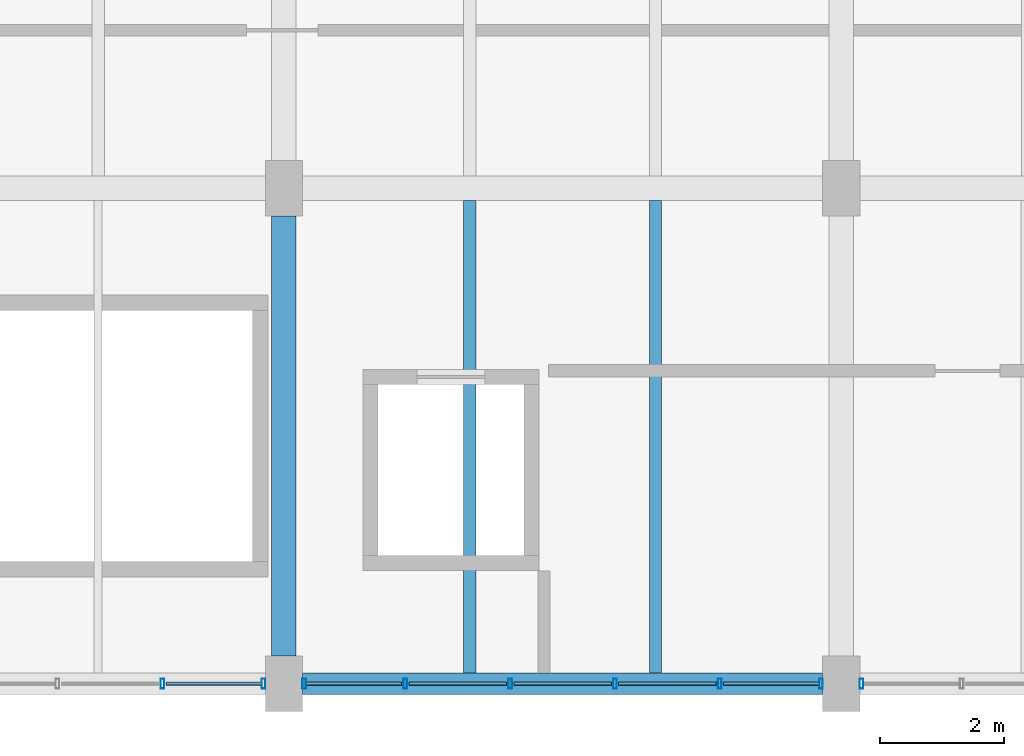
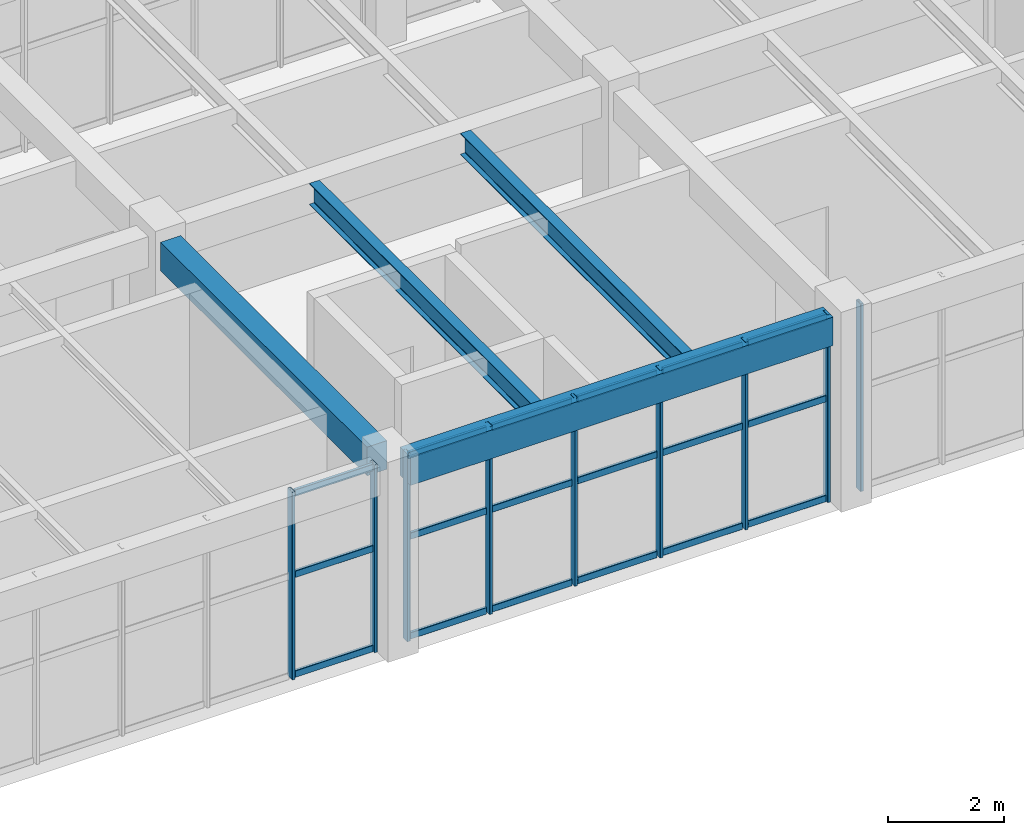
# One storey, part 13 of 148: 27 members, 4 beams, 3 elements without a shape of their own.
"""IFC4 building model written with IfcOpenShell, lengths in metres."""

from ifc_helpers import new_model, si_unit, derived_unit, direction, frame, origin, origin_2d, place, context, subcontext, project, spatial, rectangle, hollow_rectangle, i_section, extrude, material, material_profile, profile_set, type_object, element, aggregate, save


model = new_model("IFC4")

# Units and contexts
model_context = context("Model", 3, precision=1e-05, world=origin(), true_north=direction((0.0, 1.0)))
body_context = subcontext(model_context, "Body", "Model", "MODEL_VIEW")
ifc_project = project(units=[si_unit("LENGTHUNIT", "METRE"), si_unit("AREAUNIT", "SQUARE_METRE"), si_unit("VOLUMEUNIT", "CUBIC_METRE"), si_unit("PLANEANGLEUNIT", "RADIAN"), si_unit("MASSUNIT", "GRAM", prefix="KILO"), derived_unit("THERMALTRANSMITTANCEUNIT", [(si_unit("MASSUNIT", "GRAM", prefix="KILO"), 1), (si_unit("TIMEUNIT", "SECOND"), -3), (si_unit("THERMODYNAMICTEMPERATUREUNIT", "KELVIN"), -1)])], contexts=[model_context])

# Site, building, storey
site_placement = place(None, origin())
site = spatial("IfcSite", under=ifc_project, at=site_placement, CompositionType="ELEMENT")
building_placement = place(site_placement, origin())
building = spatial("IfcBuilding", under=site, at=building_placement, Name="Zhenchuan Archway Interchange", CompositionType="ELEMENT")
storey_placement = place(building_placement, frame((0.0, 0.0, 10.199951171875)))
storey = spatial("IfcBuildingStorey", under=building, at=storey_placement, Name="L02", CompositionType="ELEMENT", Elevation=10.199951171875)

# Beam
ifc_material_1 = material(Name="Concrete C40", Category="concrete")
ifc_material_profile_1 = material_profile(ifc_material_1, rectangle(XDim=0.39990234375, YDim=0.60009765625, at=origin_2d()), Name="RC 400x600")
ifc_profile_set_1 = profile_set([ifc_material_profile_1], Name="Concrete C40")
beam_type_1 = type_object("IfcBeamType", Name="BM_RC_400x600", PredefinedType="BEAM", material=ifc_profile_set_1)
beam_1_placement = place(storey_placement, frame((18.0, 0.449951171875, 3.64013671875), z_axis=(0.0, 1.0, 0.0), x_axis=(-1.0, 0.0, 0.0)))
element("IfcBeam", 1, at=beam_1_placement, inside=storey, type_object=beam_type_1, Name="Beam 3:A-B (L02)", PredefinedType="BEAM", context=body_context, shape_type="SweptSolid", body=[
    extrude(rectangle(XDim=0.39990234375, YDim=0.60009765625, at=origin_2d()), origin(), (0.0, 0.0, 1.0), 7.10009765625),
])

# Curtain wall, member
ifc_material_2 = material(Name="Anodised Aluminium", Category="aluminium")
curtain_wall_type_1 = type_object("IfcCurtainWallType", Name="CW_UNIT_2", PredefinedType="NOTDEFINED", material=ifc_material_2)
curtain_wall_1_placement = place(storey_placement, origin())
curtain_wall_1 = element("IfcCurtainWall", 2, at=curtain_wall_1_placement, inside=storey, type_object=curtain_wall_type_1, Name="Unitised curtain wall CW:L02:105", PredefinedType="NOTDEFINED")
ifc_material_profile_2 = material_profile(ifc_material_2, hollow_rectangle(XDim=0.06005859375, YDim=0.159912109375, WallThickness=0.00390625, InnerFilletRadius=0.00390625, OuterFilletRadius=0.008056640625, at=origin_2d()), Name="ALU 160x60x4")
ifc_profile_set_2 = profile_set([ifc_material_profile_2], Name="Anodised Aluminium")
member_type_1 = type_object("IfcMemberType", Name="CW_MUL_150", PredefinedType="MULLION", material=ifc_profile_set_2)
member_1_placement = place(storey_placement, frame((27.327880859375, 0.0, 0.0), z_axis=(0.0, 0.0, 1.0), x_axis=(1.0, 0.0, 0.0)))
member_1 = element("IfcMember", 3, at=member_1_placement, type_object=member_type_1, Name="CW:L02:105 mullion 5", PredefinedType="MULLION", context=body_context, shape_type="SweptSolid", body=[
    extrude(hollow_rectangle(XDim=0.06005859375, YDim=0.159912109375, WallThickness=0.00390625, InnerFilletRadius=0.00390625, OuterFilletRadius=0.008056640625, at=origin_2d()), origin(), (0.0, 0.0, 1.0), 3.93994140625),
])
aggregate(curtain_wall_1, [member_1])

# Curtain wall, members
curtain_wall_type_2 = type_object("IfcCurtainWallType", Name="CW_UNIT_3", PredefinedType="NOTDEFINED", material=ifc_material_2)
curtain_wall_2_placement = place(storey_placement, origin())
curtain_wall_2 = element("IfcCurtainWall", 4, at=curtain_wall_2_placement, inside=storey, type_object=curtain_wall_type_2, Name="Unitised curtain wall CW:L02:106", PredefinedType="NOTDEFINED")
member_2_placement = place(storey_placement, frame((26.672119140625, 0.0, 0.0), z_axis=(0.0, 0.0, 1.0), x_axis=(1.0, 0.0, 0.0)))
member_2 = element("IfcMember", 5, at=member_2_placement, type_object=member_type_1, Name="CW:L02:106 mullion 0", PredefinedType="MULLION", context=body_context, shape_type="SweptSolid", body=[
    extrude(hollow_rectangle(XDim=0.06005859375, YDim=0.159912109375, WallThickness=0.00390625, InnerFilletRadius=0.00390625, OuterFilletRadius=0.008056640625, at=origin_2d()), origin(), (0.0, 0.0, 1.0), 3.93994140625),
])
member_3_placement = place(storey_placement, frame((25.039306640625, 0.0, 0.0), z_axis=(0.0, 0.0, 1.0), x_axis=(1.0, 0.0, 0.0)))
member_3 = element("IfcMember", 6, at=member_3_placement, type_object=member_type_1, Name="CW:L02:106 mullion 1", PredefinedType="MULLION", context=body_context, shape_type="SweptSolid", body=[
    extrude(hollow_rectangle(XDim=0.06005859375, YDim=0.159912109375, WallThickness=0.00390625, InnerFilletRadius=0.00390625, OuterFilletRadius=0.008056640625, at=origin_2d()), origin(), (0.0, 0.0, 1.0), 3.93994140625),
])
member_4_placement = place(storey_placement, frame((23.346435546875, 0.0, 0.0), z_axis=(0.0, 0.0, 1.0), x_axis=(1.0, 0.0, 0.0)))
member_4 = element("IfcMember", 7, at=member_4_placement, type_object=member_type_1, Name="CW:L02:106 mullion 2", PredefinedType="MULLION", context=body_context, shape_type="SweptSolid", body=[
    extrude(hollow_rectangle(XDim=0.06005859375, YDim=0.159912109375, WallThickness=0.00390625, InnerFilletRadius=0.00390625, OuterFilletRadius=0.008056640625, at=origin_2d()), origin(), (0.0, 0.0, 1.0), 3.93994140625),
])
member_5_placement = place(storey_placement, frame((21.653564453125, 0.0, 0.0), z_axis=(0.0, 0.0, 1.0), x_axis=(1.0, 0.0, 0.0)))
member_5 = element("IfcMember", 8, at=member_5_placement, type_object=member_type_1, Name="CW:L02:106 mullion 3", PredefinedType="MULLION", context=body_context, shape_type="SweptSolid", body=[
    extrude(hollow_rectangle(XDim=0.06005859375, YDim=0.159912109375, WallThickness=0.00390625, InnerFilletRadius=0.00390625, OuterFilletRadius=0.008056640625, at=origin_2d()), origin(), (0.0, 0.0, 1.0), 3.93994140625),
])
member_6_placement = place(storey_placement, frame((19.960693359375, 0.0, 0.0), z_axis=(0.0, 0.0, 1.0), x_axis=(1.0, 0.0, 0.0)))
member_6 = element("IfcMember", 9, at=member_6_placement, type_object=member_type_1, Name="CW:L02:106 mullion 4", PredefinedType="MULLION", context=body_context, shape_type="SweptSolid", body=[
    extrude(hollow_rectangle(XDim=0.06005859375, YDim=0.159912109375, WallThickness=0.00390625, InnerFilletRadius=0.00390625, OuterFilletRadius=0.008056640625, at=origin_2d()), origin(), (0.0, 0.0, 1.0), 3.93994140625),
])
member_7_placement = place(storey_placement, frame((18.327880859375, 0.0, 0.0), z_axis=(0.0, 0.0, 1.0), x_axis=(1.0, 0.0, 0.0)))
member_7 = element("IfcMember", 10, at=member_7_placement, type_object=member_type_1, Name="CW:L02:106 mullion 5", PredefinedType="MULLION", context=body_context, shape_type="SweptSolid", body=[
    extrude(hollow_rectangle(XDim=0.06005859375, YDim=0.159912109375, WallThickness=0.00390625, InnerFilletRadius=0.00390625, OuterFilletRadius=0.008056640625, at=origin_2d()), origin(), (0.0, 0.0, 1.0), 3.93994140625),
])

curtain_wall_type_3 = type_object("IfcCurtainWallType", Name="CW_UNIT_4", PredefinedType="NOTDEFINED", material=ifc_material_2)
curtain_wall_3_placement = place(storey_placement, origin())
curtain_wall_3 = element("IfcCurtainWall", 11, at=curtain_wall_3_placement, inside=storey, type_object=curtain_wall_type_3, Name="Unitised curtain wall CW:L02:107", PredefinedType="NOTDEFINED")
member_8_placement = place(storey_placement, frame((17.672119140625, 0.0, 0.0), z_axis=(0.0, 0.0, 1.0), x_axis=(1.0, 0.0, 0.0)))
member_8 = element("IfcMember", 12, at=member_8_placement, type_object=member_type_1, Name="CW:L02:107 mullion 0", PredefinedType="MULLION", context=body_context, shape_type="SweptSolid", body=[
    extrude(hollow_rectangle(XDim=0.06005859375, YDim=0.159912109375, WallThickness=0.00390625, InnerFilletRadius=0.00390625, OuterFilletRadius=0.008056640625, at=origin_2d()), origin(), (0.0, 0.0, 1.0), 3.93994140625),
])
member_9_placement = place(storey_placement, frame((16.039306640625, 0.0, 0.0), z_axis=(0.0, 0.0, 1.0), x_axis=(1.0, 0.0, 0.0)))
member_9 = element("IfcMember", 13, at=member_9_placement, type_object=member_type_1, Name="CW:L02:107 mullion 1", PredefinedType="MULLION", context=body_context, shape_type="SweptSolid", body=[
    extrude(hollow_rectangle(XDim=0.06005859375, YDim=0.159912109375, WallThickness=0.00390625, InnerFilletRadius=0.00390625, OuterFilletRadius=0.008056640625, at=origin_2d()), origin(), (0.0, 0.0, 1.0), 3.93994140625),
])

# Member
ifc_material_profile_3 = material_profile(ifc_material_2, hollow_rectangle(XDim=0.06005859375, YDim=0.139892578125, WallThickness=0.00341796875, InnerFilletRadius=0.00341796875, OuterFilletRadius=0.007080078125, at=origin_2d()), Name="ALU 140x60x3.5")
ifc_profile_set_3 = profile_set([ifc_material_profile_3], Name="Anodised Aluminium")
member_type_2 = type_object("IfcMemberType", Name="CW_TRN_140", PredefinedType="USERDEFINED", material=ifc_profile_set_3)
member_10_placement = place(storey_placement, frame((26.652099609375, 0.0, 0.06005859375), z_axis=(-1.0, 0.0, 0.0), x_axis=(0.0, -1.0, 0.0)))
member_10 = element("IfcMember", 14, at=member_10_placement, type_object=member_type_2, Name="CW:L02:106 transom 0-1", ObjectType="TRANSOM", PredefinedType="USERDEFINED", context=body_context, shape_type="SweptSolid", body=[
    extrude(hollow_rectangle(XDim=0.06005859375, YDim=0.139892578125, WallThickness=0.00341796875, InnerFilletRadius=0.00341796875, OuterFilletRadius=0.007080078125, at=origin_2d()), origin(), (0.0, 0.0, 1.0), 1.552978515625),
])

member_11_placement = place(storey_placement, frame((26.652099609375, 0.0, 2.156005859375), z_axis=(-1.0, 0.0, 0.0), x_axis=(0.0, -1.0, 0.0)))
member_11 = element("IfcMember", 15, at=member_11_placement, type_object=member_type_2, Name="CW:L02:106 transom 0-2", ObjectType="TRANSOM", PredefinedType="USERDEFINED", context=body_context, shape_type="SweptSolid", body=[
    extrude(hollow_rectangle(XDim=0.06005859375, YDim=0.139892578125, WallThickness=0.00341796875, InnerFilletRadius=0.00341796875, OuterFilletRadius=0.007080078125, at=origin_2d()), origin(), (0.0, 0.0, 1.0), 1.552978515625),
])

member_12_placement = place(storey_placement, frame((26.652099609375, 0.0, 3.860107421875), z_axis=(-1.0, 0.0, 0.0), x_axis=(0.0, -1.0, 0.0)))
member_12 = element("IfcMember", 16, at=member_12_placement, type_object=member_type_2, Name="CW:L02:106 transom 0-3", ObjectType="TRANSOM", PredefinedType="USERDEFINED", context=body_context, shape_type="SweptSolid", body=[
    extrude(hollow_rectangle(XDim=0.06005859375, YDim=0.139892578125, WallThickness=0.00341796875, InnerFilletRadius=0.00341796875, OuterFilletRadius=0.007080078125, at=origin_2d()), origin(), (0.0, 0.0, 1.0), 1.552978515625),
])

member_13_placement = place(storey_placement, frame((24.979248046875, 0.0, 0.06005859375), z_axis=(-1.0, 0.0, 0.0), x_axis=(0.0, -1.0, 0.0)))
member_13 = element("IfcMember", 17, at=member_13_placement, type_object=member_type_2, Name="CW:L02:106 transom 1-1", ObjectType="TRANSOM", PredefinedType="USERDEFINED", context=body_context, shape_type="SweptSolid", body=[
    extrude(hollow_rectangle(XDim=0.06005859375, YDim=0.139892578125, WallThickness=0.00341796875, InnerFilletRadius=0.00341796875, OuterFilletRadius=0.007080078125, at=origin_2d()), origin(), (0.0, 0.0, 1.0), 1.57275390625),
])

member_14_placement = place(storey_placement, frame((24.979248046875, 0.0, 2.156005859375), z_axis=(-1.0, 0.0, 0.0), x_axis=(0.0, -1.0, 0.0)))
member_14 = element("IfcMember", 18, at=member_14_placement, type_object=member_type_2, Name="CW:L02:106 transom 1-2", ObjectType="TRANSOM", PredefinedType="USERDEFINED", context=body_context, shape_type="SweptSolid", body=[
    extrude(hollow_rectangle(XDim=0.06005859375, YDim=0.139892578125, WallThickness=0.00341796875, InnerFilletRadius=0.00341796875, OuterFilletRadius=0.007080078125, at=origin_2d()), origin(), (0.0, 0.0, 1.0), 1.57275390625),
])

member_15_placement = place(storey_placement, frame((24.979248046875, 0.0, 3.860107421875), z_axis=(-1.0, 0.0, 0.0), x_axis=(0.0, -1.0, 0.0)))
member_15 = element("IfcMember", 19, at=member_15_placement, type_object=member_type_2, Name="CW:L02:106 transom 1-3", ObjectType="TRANSOM", PredefinedType="USERDEFINED", context=body_context, shape_type="SweptSolid", body=[
    extrude(hollow_rectangle(XDim=0.06005859375, YDim=0.139892578125, WallThickness=0.00341796875, InnerFilletRadius=0.00341796875, OuterFilletRadius=0.007080078125, at=origin_2d()), origin(), (0.0, 0.0, 1.0), 1.57275390625),
])

member_16_placement = place(storey_placement, frame((23.286376953125, 0.0, 0.06005859375), z_axis=(-1.0, 0.0, 0.0), x_axis=(0.0, -1.0, 0.0)))
member_16 = element("IfcMember", 20, at=member_16_placement, type_object=member_type_2, Name="CW:L02:106 transom 2-1", ObjectType="TRANSOM", PredefinedType="USERDEFINED", context=body_context, shape_type="SweptSolid", body=[
    extrude(hollow_rectangle(XDim=0.06005859375, YDim=0.139892578125, WallThickness=0.00341796875, InnerFilletRadius=0.00341796875, OuterFilletRadius=0.007080078125, at=origin_2d()), origin(), (0.0, 0.0, 1.0), 1.57275390625),
])

member_17_placement = place(storey_placement, frame((23.286376953125, 0.0, 2.156005859375), z_axis=(-1.0, 0.0, 0.0), x_axis=(0.0, -1.0, 0.0)))
member_17 = element("IfcMember", 21, at=member_17_placement, type_object=member_type_2, Name="CW:L02:106 transom 2-2", ObjectType="TRANSOM", PredefinedType="USERDEFINED", context=body_context, shape_type="SweptSolid", body=[
    extrude(hollow_rectangle(XDim=0.06005859375, YDim=0.139892578125, WallThickness=0.00341796875, InnerFilletRadius=0.00341796875, OuterFilletRadius=0.007080078125, at=origin_2d()), origin(), (0.0, 0.0, 1.0), 1.57275390625),
])

member_18_placement = place(storey_placement, frame((23.286376953125, 0.0, 3.860107421875), z_axis=(-1.0, 0.0, 0.0), x_axis=(0.0, -1.0, 0.0)))
member_18 = element("IfcMember", 22, at=member_18_placement, type_object=member_type_2, Name="CW:L02:106 transom 2-3", ObjectType="TRANSOM", PredefinedType="USERDEFINED", context=body_context, shape_type="SweptSolid", body=[
    extrude(hollow_rectangle(XDim=0.06005859375, YDim=0.139892578125, WallThickness=0.00341796875, InnerFilletRadius=0.00341796875, OuterFilletRadius=0.007080078125, at=origin_2d()), origin(), (0.0, 0.0, 1.0), 1.57275390625),
])

member_19_placement = place(storey_placement, frame((21.593505859375, 0.0, 0.06005859375), z_axis=(-1.0, 0.0, 0.0), x_axis=(0.0, -1.0, 0.0)))
member_19 = element("IfcMember", 23, at=member_19_placement, type_object=member_type_2, Name="CW:L02:106 transom 3-1", ObjectType="TRANSOM", PredefinedType="USERDEFINED", context=body_context, shape_type="SweptSolid", body=[
    extrude(hollow_rectangle(XDim=0.06005859375, YDim=0.139892578125, WallThickness=0.00341796875, InnerFilletRadius=0.00341796875, OuterFilletRadius=0.007080078125, at=origin_2d()), origin(), (0.0, 0.0, 1.0), 1.57275390625),
])

member_20_placement = place(storey_placement, frame((21.593505859375, 0.0, 2.156005859375), z_axis=(-1.0, 0.0, 0.0), x_axis=(0.0, -1.0, 0.0)))
member_20 = element("IfcMember", 24, at=member_20_placement, type_object=member_type_2, Name="CW:L02:106 transom 3-2", ObjectType="TRANSOM", PredefinedType="USERDEFINED", context=body_context, shape_type="SweptSolid", body=[
    extrude(hollow_rectangle(XDim=0.06005859375, YDim=0.139892578125, WallThickness=0.00341796875, InnerFilletRadius=0.00341796875, OuterFilletRadius=0.007080078125, at=origin_2d()), origin(), (0.0, 0.0, 1.0), 1.57275390625),
])

member_21_placement = place(storey_placement, frame((21.593505859375, 0.0, 3.860107421875), z_axis=(-1.0, 0.0, 0.0), x_axis=(0.0, -1.0, 0.0)))
member_21 = element("IfcMember", 25, at=member_21_placement, type_object=member_type_2, Name="CW:L02:106 transom 3-3", ObjectType="TRANSOM", PredefinedType="USERDEFINED", context=body_context, shape_type="SweptSolid", body=[
    extrude(hollow_rectangle(XDim=0.06005859375, YDim=0.139892578125, WallThickness=0.00341796875, InnerFilletRadius=0.00341796875, OuterFilletRadius=0.007080078125, at=origin_2d()), origin(), (0.0, 0.0, 1.0), 1.57275390625),
])

member_22_placement = place(storey_placement, frame((19.90087890625, 0.0, 0.06005859375), z_axis=(-1.0, 0.0, 0.0), x_axis=(0.0, -1.0, 0.0)))
member_22 = element("IfcMember", 26, at=member_22_placement, type_object=member_type_2, Name="CW:L02:106 transom 4-1", ObjectType="TRANSOM", PredefinedType="USERDEFINED", context=body_context, shape_type="SweptSolid", body=[
    extrude(hollow_rectangle(XDim=0.06005859375, YDim=0.139892578125, WallThickness=0.00341796875, InnerFilletRadius=0.00341796875, OuterFilletRadius=0.007080078125, at=origin_2d()), origin(), (0.0, 0.0, 1.0), 1.552978515625),
])

member_23_placement = place(storey_placement, frame((19.90087890625, 0.0, 2.156005859375), z_axis=(-1.0, 0.0, 0.0), x_axis=(0.0, -1.0, 0.0)))
member_23 = element("IfcMember", 27, at=member_23_placement, type_object=member_type_2, Name="CW:L02:106 transom 4-2", ObjectType="TRANSOM", PredefinedType="USERDEFINED", context=body_context, shape_type="SweptSolid", body=[
    extrude(hollow_rectangle(XDim=0.06005859375, YDim=0.139892578125, WallThickness=0.00341796875, InnerFilletRadius=0.00341796875, OuterFilletRadius=0.007080078125, at=origin_2d()), origin(), (0.0, 0.0, 1.0), 1.552978515625),
])

member_24_placement = place(storey_placement, frame((19.90087890625, 0.0, 3.860107421875), z_axis=(-1.0, 0.0, 0.0), x_axis=(0.0, -1.0, 0.0)))
member_24 = element("IfcMember", 28, at=member_24_placement, type_object=member_type_2, Name="CW:L02:106 transom 4-3", ObjectType="TRANSOM", PredefinedType="USERDEFINED", context=body_context, shape_type="SweptSolid", body=[
    extrude(hollow_rectangle(XDim=0.06005859375, YDim=0.139892578125, WallThickness=0.00341796875, InnerFilletRadius=0.00341796875, OuterFilletRadius=0.007080078125, at=origin_2d()), origin(), (0.0, 0.0, 1.0), 1.552978515625),
])

aggregate(curtain_wall_2, [member_2, member_3, member_4, member_5, member_6, member_7, member_10, member_11, member_12, member_13, member_14, member_15, member_16, member_17, member_18, member_19, member_20, member_21, member_22, member_23, member_24])

member_25_placement = place(storey_placement, frame((17.652099609375, 0.0, 0.06005859375), z_axis=(-1.0, 0.0, 0.0), x_axis=(0.0, -1.0, 0.0)))
member_25 = element("IfcMember", 29, at=member_25_placement, type_object=member_type_2, Name="CW:L02:107 transom 0-1", ObjectType="TRANSOM", PredefinedType="USERDEFINED", context=body_context, shape_type="SweptSolid", body=[
    extrude(hollow_rectangle(XDim=0.06005859375, YDim=0.139892578125, WallThickness=0.00341796875, InnerFilletRadius=0.00341796875, OuterFilletRadius=0.007080078125, at=origin_2d()), origin(), (0.0, 0.0, 1.0), 1.552978515625),
])

member_26_placement = place(storey_placement, frame((17.652099609375, 0.0, 2.156005859375), z_axis=(-1.0, 0.0, 0.0), x_axis=(0.0, -1.0, 0.0)))
member_26 = element("IfcMember", 30, at=member_26_placement, type_object=member_type_2, Name="CW:L02:107 transom 0-2", ObjectType="TRANSOM", PredefinedType="USERDEFINED", context=body_context, shape_type="SweptSolid", body=[
    extrude(hollow_rectangle(XDim=0.06005859375, YDim=0.139892578125, WallThickness=0.00341796875, InnerFilletRadius=0.00341796875, OuterFilletRadius=0.007080078125, at=origin_2d()), origin(), (0.0, 0.0, 1.0), 1.552978515625),
])

member_27_placement = place(storey_placement, frame((17.652099609375, 0.0, 3.860107421875), z_axis=(-1.0, 0.0, 0.0), x_axis=(0.0, -1.0, 0.0)))
member_27 = element("IfcMember", 31, at=member_27_placement, type_object=member_type_2, Name="CW:L02:107 transom 0-3", ObjectType="TRANSOM", PredefinedType="USERDEFINED", context=body_context, shape_type="SweptSolid", body=[
    extrude(hollow_rectangle(XDim=0.06005859375, YDim=0.139892578125, WallThickness=0.00341796875, InnerFilletRadius=0.00341796875, OuterFilletRadius=0.007080078125, at=origin_2d()), origin(), (0.0, 0.0, 1.0), 1.552978515625),
])

aggregate(curtain_wall_3, [member_8, member_9, member_25, member_26, member_27])

# Beams
ifc_material_3 = material(Name="Steel Q355", Category="steel")
ifc_material_profile_4 = material_profile(ifc_material_3, i_section(OverallWidth=0.199951171875, OverallDepth=0.449951171875, WebThickness=0.009033203125, FlangeThickness=0.013916015625, FilletRadius=0.01806640625, at=origin_2d()), Name="HN 450x200")
ifc_profile_set_4 = profile_set([ifc_material_profile_4], Name="Steel Q355")
beam_type_2 = type_object("IfcBeamType", Name="JST_STL_HN450", PredefinedType="JOIST", material=ifc_profile_set_4)
for number, where, z_axis, x_axis, name in (
    (32, (21.0, 0.175048828125, 3.715087890625), (0.0, 1.0, 0.0), (-1.0, 0.0, 0.0), "Secondary joist 3-4/A-B #1 (L02)"),
    (33, (24.0, 0.175048828125, 3.715087890625), (0.0, 1.0, 0.0), (-1.0, 0.0, 0.0), "Secondary joist 3-4/A-B #2 (L02)"),
):
    element("IfcBeam", number, at=place(storey_placement, frame(where, z_axis=z_axis, x_axis=x_axis)), inside=storey, type_object=beam_type_2, Name=name, PredefinedType="JOIST", context=body_context, shape_type="SweptSolid", body=[
        extrude(i_section(OverallWidth=0.199951171875, OverallDepth=0.449951171875, WebThickness=0.009033203125, FlangeThickness=0.013916015625, FilletRadius=0.01806640625, at=origin_2d()), origin(), (0.0, 0.0, 1.0), 7.625),
    ])
ifc_material_profile_5 = material_profile(ifc_material_1, rectangle(XDim=0.35009765625, YDim=0.60009765625, at=origin_2d()), Name="RC 350x600")
ifc_profile_set_5 = profile_set([ifc_material_profile_5], Name="Concrete C40")
beam_type_3 = type_object("IfcBeamType", Name="SP_RC_350x600", PredefinedType="SPANDREL", material=ifc_profile_set_5)
beam_2_placement = place(storey_placement, frame((18.300048828125, 0.0, 3.64013671875), z_axis=(1.0, 0.0, 0.0), x_axis=(0.0, 1.0, 0.0)))
element("IfcBeam", 34, at=beam_2_placement, inside=storey, type_object=beam_type_3, Name="Beam A:3-4 (L02)", PredefinedType="SPANDREL", context=body_context, shape_type="SweptSolid", body=[
    extrude(rectangle(XDim=0.35009765625, YDim=0.60009765625, at=origin_2d()), origin(), (0.0, 0.0, 1.0), 8.39990234375),
])

save(model, "model.ifc")
